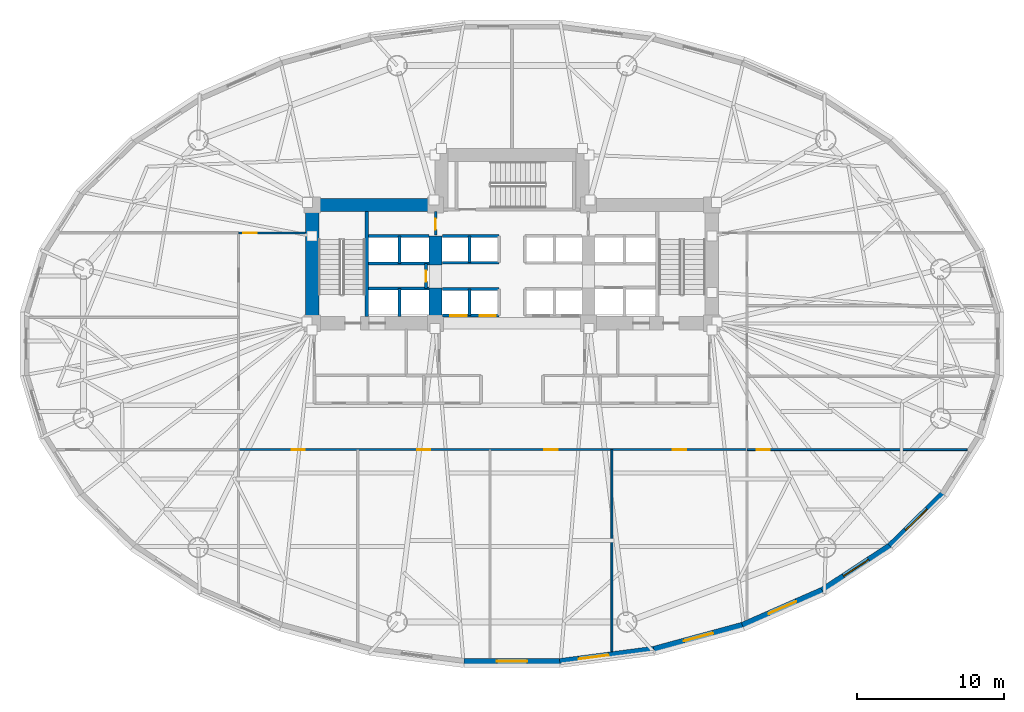
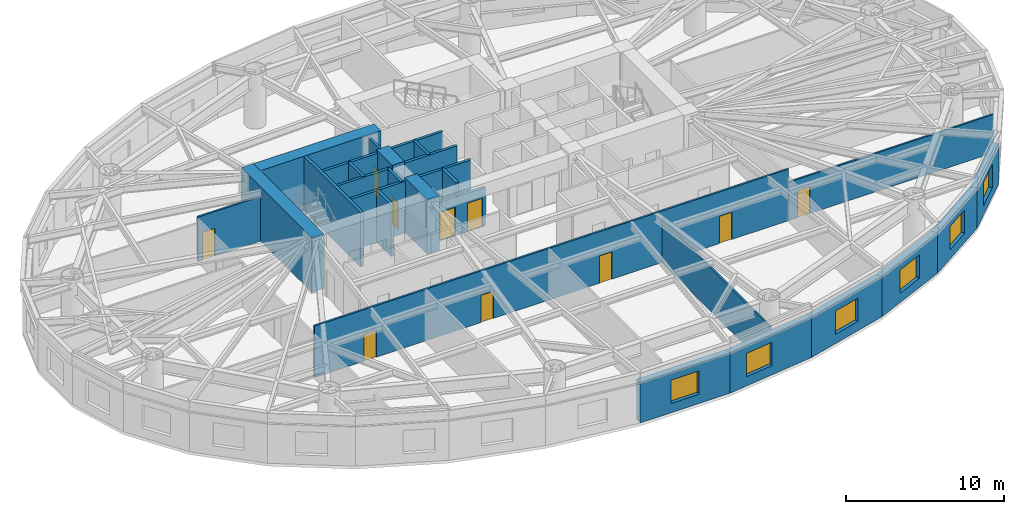
# One storey, part 6 of 14: 28 walls, 10 doors, 6 windows, 16 openings.
"""IFC4 building model written with IfcOpenShell, lengths in metres."""

import ifcopenshell
import ifcopenshell.guid

model = None  # the IFC model being written
_history = None  # IfcOwnerHistory: only IFC2X3 demands one
_inside = {}  # id of a spatial element -> (the spatial element, [elements in it])
_under = {}  # id of a project, library or spatial element -> (it, [spatial elements below it])
_declared = {}  # id of a project -> (the project, [libraries it declares])
_typed = {}  # id of a type object -> (the type object, [elements of that type])
_made_of = {}  # id of a material, layer set ... -> (it, [elements and type objects made of it])


def new_model(schema):
    """Start an empty IFC model of exactly this schema.

    Asked for "IFC4X3", IfcOpenShell would pick the latest addendum, in which some entities
    have other attributes; the version numbers below select the first issue.
    IFC2X3 requires an IfcOwnerHistory on every rooted entity: one is made here for all.
    """
    global model, _history
    if schema == "IFC4X3":
        model = ifcopenshell.file(schema_version=(4, 3, 0, 0))
    else:
        model = ifcopenshell.file(schema=schema)
    _inside.clear()
    _under.clear()
    _declared.clear()
    _typed.clear()
    _made_of.clear()
    _history = None
    if model.schema == "IFC2X3":
        org = make("IfcOrganization", Name="unknown")
        user = make(
            "IfcPersonAndOrganization",
            ThePerson=make("IfcPerson", FamilyName="unknown"),
            TheOrganization=org,
        )
        app = make(
            "IfcApplication",
            ApplicationDeveloper=org,
            Version="unknown",
            ApplicationFullName="unknown",
            ApplicationIdentifier="unknown",
        )
        _history = make(
            "IfcOwnerHistory",
            OwningUser=user,
            OwningApplication=app,
            ChangeAction="ADDED",
            CreationDate=0,
        )
    return model


def make(cls, **values):
    """One entity of the class cls with the attributes given. An attribute that is None is left unset."""
    return model.create_entity(
        cls, **{name: value for name, value in values.items() if value is not None}
    )


def rooted(cls, **values):
    """An entity with a GlobalId (a new one), such as an element, a storey or a relation."""
    return make(cls, GlobalId=ifcopenshell.guid.new(), OwnerHistory=_history, **values)


def si_unit(unit_type, name, prefix=None):
    """IfcSIUnit, for example si_unit("LENGTHUNIT", "METRE", prefix="MILLI")."""
    return make("IfcSIUnit", UnitType=unit_type, Prefix=prefix, Name=name)


def assignment(units):
    """IfcUnitAssignment: the units of a project."""
    return None if units is None else make("IfcUnitAssignment", Units=units)


def point(xyz):
    """IfcCartesianPoint."""
    return None if xyz is None else make("IfcCartesianPoint", Coordinates=xyz)


def direction(xyz):
    """IfcDirection."""
    return None if xyz is None else make("IfcDirection", DirectionRatios=xyz)


def frame(location, z_axis=None, x_axis=None):
    """IfcAxis2Placement3D, a coordinate frame: its origin and axes. An axis left out is left unset."""
    return make(
        "IfcAxis2Placement3D",
        Location=point(location),
        Axis=direction(z_axis),
        RefDirection=direction(x_axis),
    )


def frame_2d(location, x_axis=None):
    """IfcAxis2Placement2D, a coordinate frame in the plane: its origin and x axis."""
    return make(
        "IfcAxis2Placement2D", Location=point(location), RefDirection=direction(x_axis)
    )


def origin():
    """The frame at (0, 0, 0) with its axes left unset."""
    return frame((0.0, 0.0, 0.0))


def place(relative_to, where):
    """IfcLocalPlacement: puts the frame where relative to a parent placement (None: the world)."""
    return make(
        "IfcLocalPlacement", PlacementRelTo=relative_to, RelativePlacement=where
    )


def context(
    kind, dimensions, precision=None, world=None, true_north=None, identifier=None
):
    """IfcGeometricRepresentationContext, for example the 3D "Model" context."""
    return make(
        "IfcGeometricRepresentationContext",
        ContextIdentifier=identifier,
        ContextType=kind,
        CoordinateSpaceDimension=dimensions,
        Precision=precision,
        WorldCoordinateSystem=world,
        TrueNorth=true_north,
    )


def subcontext(parent, identifier, kind, view, scale=None):
    """IfcGeometricRepresentationSubContext, for example "Body" below "Model"."""
    return make(
        "IfcGeometricRepresentationSubContext",
        ContextIdentifier=identifier,
        ContextType=kind,
        ParentContext=parent,
        TargetScale=scale,
        TargetView=view,
    )


def project(units=None, contexts=None):
    """IfcProject with its units and contexts."""
    return rooted(
        "IfcProject",
        Name="project",
        RepresentationContexts=contexts,
        UnitsInContext=assignment(units),
    )


def spatial(cls, under=None, at=None, **own):
    """A site, building, storey or space (cls), placed at a placement, below another one or the project."""
    s = rooted(cls, ObjectPlacement=at, **own)
    if under is not None:
        _under.setdefault(under.id(), (under, []))[1].append(s)
    return s


def profile(cls, at=None, kind="AREA", **sizes):
    """A parametric profile (cls). Its sizes go by their IFC names, for example OverallWidth=200.0."""
    return make(cls, ProfileType=kind, Position=at, **sizes)


def rectangle(**sizes):
    """IfcRectangleProfileDef."""
    return profile("IfcRectangleProfileDef", **sizes)


def extrude(swept, where, along, depth):
    """IfcExtrudedAreaSolid: the profile swept, set in the frame where, extruded along a direction by depth."""
    return make(
        "IfcExtrudedAreaSolid",
        SweptArea=swept,
        Position=where,
        ExtrudedDirection=direction(along),
        Depth=depth,
    )


def shape(context_of_items, identifier, shape_type, items):
    """IfcShapeRepresentation: the items that make up one representation, for example the "Body"."""
    return make(
        "IfcShapeRepresentation",
        ContextOfItems=context_of_items,
        RepresentationIdentifier=identifier,
        RepresentationType=shape_type,
        Items=items,
    )


def material(Name=None, Category=None):
    """IfcMaterial."""
    return make("IfcMaterial", Name=Name, Category=Category)


def layer(
    of_material, thickness, ventilated=None, Name=None, Category=None, Priority=None
):
    """IfcMaterialLayer: one layer of a wall or slab, of a material (None: an air gap)."""
    return make(
        "IfcMaterialLayer",
        Material=of_material,
        LayerThickness=thickness,
        IsVentilated=ventilated,
        Name=Name,
        Category=Category,
        Priority=Priority,
    )


def layer_set(layers, Name=None):
    """IfcMaterialLayerSet."""
    return make("IfcMaterialLayerSet", MaterialLayers=layers, LayerSetName=Name)


def made_of(thing, what):
    """Note that an element or type object is made of a material, layer set ...; save() writes the relation."""
    if what is not None:
        _made_of.setdefault(what.id(), (what, []))[1].append(thing)
    return thing


def type_object(cls, material=None, **own):
    """A type object (cls), such as IfcWallType, which elements share."""
    return made_of(rooted(cls, **own), material)


def element(
    cls,
    number,
    at=None,
    inside=None,
    cuts=None,
    type_object=None,
    material=None,
    context=None,
    identifier="Body",
    shape_type=None,
    held_by="IfcProductDefinitionShape",
    body=None,
    shapes=None,
    **own,
):
    """One element of the class cls, such as IfcWall. Its Tag is "e" and its number.

    at: its placement. inside: the storey or other place that contains it. cuts: it is an
    opening in that element (IfcRelVoidsElement). A single representation is given by context,
    identifier, shape_type and body (its items); several are given by shapes. held_by: the class
    of the entity that holds the representations. save() writes the other relations.
    """
    e = rooted(cls, Tag="e%d" % number, ObjectPlacement=at, **own)
    if body is not None:
        shapes = [shape(context, identifier, shape_type, body)]
    if shapes is not None:
        e.Representation = make(held_by, Representations=shapes)
    if inside is not None:
        _inside.setdefault(inside.id(), (inside, []))[1].append(e)
    if cuts is not None:
        rooted(
            "IfcRelVoidsElement", RelatingBuildingElement=cuts, RelatedOpeningElement=e
        )
    if type_object is not None:
        _typed.setdefault(type_object.id(), (type_object, []))[1].append(e)
    return made_of(e, material)


def fill(opening, filler):
    """IfcRelFillsElement: the door or window that sits in an opening."""
    return rooted(
        "IfcRelFillsElement",
        RelatingOpeningElement=opening,
        RelatedBuildingElement=filler,
    )


def aggregate(whole, parts):
    """IfcRelAggregates: a whole, such as a stair, and the parts it consists of."""
    return rooted("IfcRelAggregates", RelatingObject=whole, RelatedObjects=parts)


def save(model, path):
    """Write the relations noted so far, then the file.

    IfcRelAggregates (storeys below a building ...), IfcRelContainedInSpatialStructure (elements
    in a storey), IfcRelDefinesByType, IfcRelAssociatesMaterial and IfcRelDeclares: one each for
    every whole, place, type object, material and project.
    """
    for whole, parts in _under.values():
        aggregate(whole, parts)
    for where, things in _inside.values():
        rooted(
            "IfcRelContainedInSpatialStructure",
            RelatedElements=things,
            RelatingStructure=where,
        )
    for kind, things in _typed.values():
        rooted("IfcRelDefinesByType", RelatedObjects=things, RelatingType=kind)
    for what, things in _made_of.values():
        rooted("IfcRelAssociatesMaterial", RelatedObjects=things, RelatingMaterial=what)
    for by, libraries in _declared.values():
        rooted("IfcRelDeclares", RelatingContext=by, RelatedDefinitions=libraries)
    model.write(path)


model = new_model("IFC4")

# Units and contexts
model_context = context("Model", 3, precision=1e-05, world=origin(), true_north=direction((0.0, 1.0)))
body_context = subcontext(model_context, "Body", "Model", "MODEL_VIEW")
ifc_project = project(units=[si_unit("LENGTHUNIT", "METRE"), si_unit("AREAUNIT", "SQUARE_METRE"), si_unit("VOLUMEUNIT", "CUBIC_METRE"), si_unit("PLANEANGLEUNIT", "RADIAN"), si_unit("MASSUNIT", "GRAM", prefix="KILO")], contexts=[model_context])

# Site, building, storey
site_placement = place(None, origin())
site = spatial("IfcSite", under=ifc_project, at=site_placement, CompositionType="ELEMENT")
building_placement = place(site_placement, origin())
building = spatial("IfcBuilding", under=site, at=building_placement, Name="Keldmark Tower", CompositionType="ELEMENT")
storey_placement = place(building_placement, frame((0.0, 0.0, 18.60009765625)))
storey = spatial("IfcBuildingStorey", under=building, at=storey_placement, Name="L04", CompositionType="ELEMENT", Elevation=18.60009765625)

# Wall, openings, doors
ifc_material_1 = material(Name="Acoustic Double-Layer Gypsum Corridor Partition", Category="gypsum")
ifc_layer_1 = layer(ifc_material_1, 0.139892578125)
ifc_layer_set_1 = layer_set([ifc_layer_1], Name="Acoustic Double-Layer Gypsum Corridor Partition")
wall_type_1 = type_object("IfcWallType", Name="Acoustic Corridor Partition 140 mm", PredefinedType="PARTITIONING", material=ifc_layer_set_1)
wall_1_placement = place(storey_placement, frame((-18.60009765625, -7.199951171875, 0.0), z_axis=(0.0, 0.0, 1.0), x_axis=(1.0, 0.0, 0.0)))
wall_1 = element("IfcWall", 1, at=wall_1_placement, inside=storey, type_object=wall_type_1, Name="L04 Acoustic Corridor Partition 140 mm COR-S", PredefinedType="PARTITIONING", context=body_context, shape_type="SweptSolid", body=[
    extrude(rectangle(XDim=34.60009765625, YDim=0.139892578125, at=frame_2d((17.300048828125, 0.0))), origin(), (0.0, 0.0, 1.0), 3.97998046875),
])
opening_1_placement = place(wall_1_placement, frame((3.60009765625, 0.0, 0.0)))
opening_1 = element("IfcOpeningElement", 2, at=opening_1_placement, cuts=wall_1, Name="Opening D-IN090", PredefinedType="OPENING", context=body_context, shape_type="SweptSolid", body=[
    extrude(rectangle(XDim=0.89990234375, YDim=2.10009765625, at=frame_2d((0.449951171875, 1.050048828125))), frame((0.0, 0.079833984375, 0.0), z_axis=(0.0, -1.0, 0.0), x_axis=(1.0, 0.0, 0.0)), (0.0, 0.0, 1.0), 0.159912109375),
])
opening_2_placement = place(wall_1_placement, frame((12.14990234375, 0.0, 0.0)))
opening_2 = element("IfcOpeningElement", 3, at=opening_2_placement, cuts=wall_1, Name="Opening D-IN090", PredefinedType="OPENING", context=body_context, shape_type="SweptSolid", body=[
    extrude(rectangle(XDim=0.89990234375, YDim=2.10009765625, at=frame_2d((0.449951171875, 1.050048828125))), frame((0.0, 0.079833984375, 0.0), z_axis=(0.0, -1.0, 0.0), x_axis=(1.0, 0.0, 0.0)), (0.0, 0.0, 1.0), 0.159912109375),
])
opening_3_placement = place(wall_1_placement, frame((20.800048828125, 0.0, 0.0)))
opening_3 = element("IfcOpeningElement", 4, at=opening_3_placement, cuts=wall_1, Name="Opening D-IN090", PredefinedType="OPENING", context=body_context, shape_type="SweptSolid", body=[
    extrude(rectangle(XDim=0.89990234375, YDim=2.10009765625, at=frame_2d((0.449951171875, 1.050048828125))), frame((0.0, 0.079833984375, 0.0), z_axis=(0.0, -1.0, 0.0), x_axis=(1.0, 0.0, 0.0)), (0.0, 0.0, 1.0), 0.159912109375),
])
opening_4_placement = place(wall_1_placement, frame((29.550048828125, 0.0, 0.0)))
opening_4 = element("IfcOpeningElement", 5, at=opening_4_placement, cuts=wall_1, Name="Opening D-IN090", PredefinedType="OPENING", context=body_context, shape_type="SweptSolid", body=[
    extrude(rectangle(XDim=0.89990234375, YDim=2.10009765625, at=frame_2d((0.449951171875, 1.050048828125))), frame((0.0, 0.079833984375, 0.0), z_axis=(0.0, -1.0, 0.0), x_axis=(1.0, 0.0, 0.0)), (0.0, 0.0, 1.0), 0.159912109375),
])
ifc_material_2 = material(Name="Stained American White Oak Veneer", Category="wood")
door_type_1 = type_object("IfcDoorType", Name="Interior Door 900x2100", OperationType="NOTDEFINED", PredefinedType="DOOR", material=ifc_material_2)
door_1_placement = place(opening_1_placement, origin())
door_1 = element("IfcDoor", 6, at=door_1_placement, inside=storey, type_object=door_type_1, Name="L04 Interior Door 900x2100 D-SR-1-L04", OperationType="SINGLE_SWING_LEFT", OverallHeight=2.10009765625, OverallWidth=0.89990234375, PredefinedType="DOOR", context=body_context, shape_type="SweptSolid", body=[
    extrude(rectangle(XDim=0.89990234375, YDim=2.10009765625, at=frame_2d((0.449951171875, 1.050048828125))), frame((0.0, 0.02490234375, 0.0), z_axis=(0.0, -1.0, 0.0), x_axis=(1.0, 0.0, 0.0)), (0.0, 0.0, 1.0), 0.050048828125),
])
fill(opening_1, door_1)
door_2_placement = place(opening_2_placement, origin())
door_2 = element("IfcDoor", 7, at=door_2_placement, inside=storey, type_object=door_type_1, Name="L04 Interior Door 900x2100 D-SR-2-L04", OperationType="SINGLE_SWING_RIGHT", OverallHeight=2.10009765625, OverallWidth=0.89990234375, PredefinedType="DOOR", context=body_context, shape_type="SweptSolid", body=[
    extrude(rectangle(XDim=0.89990234375, YDim=2.10009765625, at=frame_2d((0.449951171875, 1.050048828125))), frame((0.0, 0.02490234375, 0.0), z_axis=(0.0, -1.0, 0.0), x_axis=(1.0, 0.0, 0.0)), (0.0, 0.0, 1.0), 0.050048828125),
])
fill(opening_2, door_2)
door_3_placement = place(opening_3_placement, origin())
door_3 = element("IfcDoor", 8, at=door_3_placement, inside=storey, type_object=door_type_1, Name="L04 Interior Door 900x2100 D-SR-3-L04", OperationType="SINGLE_SWING_LEFT", OverallHeight=2.10009765625, OverallWidth=0.89990234375, PredefinedType="DOOR", context=body_context, shape_type="SweptSolid", body=[
    extrude(rectangle(XDim=0.89990234375, YDim=2.10009765625, at=frame_2d((0.449951171875, 1.050048828125))), frame((0.0, 0.02490234375, 0.0), z_axis=(0.0, -1.0, 0.0), x_axis=(1.0, 0.0, 0.0)), (0.0, 0.0, 1.0), 0.050048828125),
])
fill(opening_3, door_3)
door_4_placement = place(opening_4_placement, origin())
door_4 = element("IfcDoor", 9, at=door_4_placement, inside=storey, type_object=door_type_1, Name="L04 Interior Door 900x2100 D-SR-4-L04", OperationType="SINGLE_SWING_RIGHT", OverallHeight=2.10009765625, OverallWidth=0.89990234375, PredefinedType="DOOR", context=body_context, shape_type="SweptSolid", body=[
    extrude(rectangle(XDim=0.89990234375, YDim=2.10009765625, at=frame_2d((0.449951171875, 1.050048828125))), frame((0.0, 0.02490234375, 0.0), z_axis=(0.0, -1.0, 0.0), x_axis=(1.0, 0.0, 0.0)), (0.0, 0.0, 1.0), 0.050048828125),
])
fill(opening_4, door_4)

# Wall, opening, door
wall_2_placement = place(storey_placement, frame((-18.60009765625, 7.550048828125, 0.0), z_axis=(0.0, 0.0, 1.0), x_axis=(1.0, 0.0, 0.0)))
wall_2 = element("IfcWall", 10, at=wall_2_placement, inside=storey, type_object=wall_type_1, Name="L04 Acoustic Corridor Partition 140 mm COR-WN-CAP", PredefinedType="PARTITIONING", context=body_context, shape_type="SweptSolid", body=[
    extrude(rectangle(XDim=4.550048828125, YDim=0.139892578125, at=frame_2d((2.27490234375, 0.0))), origin(), (0.0, 0.0, 1.0), 3.432861328125),
])
opening_5_placement = place(wall_2_placement, frame((0.320068359375, 0.0, 0.0)))
opening_5 = element("IfcOpeningElement", 11, at=opening_5_placement, cuts=wall_2, Name="Opening D-EX092", PredefinedType="OPENING", context=body_context, shape_type="SweptSolid", body=[
    extrude(rectangle(XDim=0.919921875, YDim=2.14990234375, at=frame_2d((0.4599609375, 1.074951171875))), frame((0.0, 0.079833984375, 0.0), z_axis=(0.0, -1.0, 0.0), x_axis=(1.0, 0.0, 0.0)), (0.0, 0.0, 1.0), 0.159912109375),
])
ifc_material_3 = material(Name="Flush American Ash Executive Office Door", Category="wood")
door_type_2 = type_object("IfcDoorType", Name="Executive Office Door 920x2150", OperationType="NOTDEFINED", PredefinedType="DOOR", material=ifc_material_3)
door_5_placement = place(opening_5_placement, origin())
door_5 = element("IfcDoor", 12, at=door_5_placement, inside=storey, type_object=door_type_2, Name="L04 Executive Office Door 920x2150 D-NRNW-L04", OperationType="SINGLE_SWING_LEFT", OverallHeight=2.14990234375, OverallWidth=0.919921875, PredefinedType="DOOR", context=body_context, shape_type="SweptSolid", body=[
    extrude(rectangle(XDim=0.919921875, YDim=2.14990234375, at=frame_2d((0.4599609375, 1.074951171875))), frame((0.0, 0.02490234375, 0.0), z_axis=(0.0, -1.0, 0.0), x_axis=(1.0, 0.0, 0.0)), (0.0, 0.0, 1.0), 0.050048828125),
])
fill(opening_5, door_5)

# Wall
ifc_material_4 = material(Name="Acoustic Gypsum Board Interior Partition", Category="gypsum")
ifc_layer_2 = layer(ifc_material_4, 0.1298828125)
ifc_layer_set_2 = layer_set([ifc_layer_2], Name="Acoustic Gypsum Board Interior Partition")
wall_type_2 = type_object("IfcWallType", Name="Interior Partition 130 mm", PredefinedType="PARTITIONING", material=ifc_layer_set_2)
wall_3_placement = place(storey_placement, frame((6.800048828125, -20.942626953125, 0.0), z_axis=(0.0, 0.0, 1.0), x_axis=(0.0, 1.0, 0.0)))
element("IfcWall", 13, at=wall_3_placement, inside=storey, type_object=wall_type_2, Name="L04 Interior Partition 130 mm S-DIV-3", PredefinedType="PARTITIONING", context=body_context, shape_type="SweptSolid", body=[
    extrude(rectangle(XDim=13.74267578125, YDim=0.1298828125, at=frame_2d((6.871337890625, 0.0))), origin(), (0.0, 0.0, 1.0), 3.347900390625),
])

# Wall, opening, door
wall_4_placement = place(storey_placement, frame((16.0, -7.199951171875, 0.0), z_axis=(0.0, 0.0, 1.0), x_axis=(1.0, 0.0, 0.0)))
wall_4 = element("IfcWall", 14, at=wall_4_placement, inside=storey, type_object=wall_type_2, Name="L04 Interior Partition 130 mm E-CAP-S", PredefinedType="PARTITIONING", context=body_context, shape_type="SweptSolid", body=[
    extrude(rectangle(XDim=14.96728515625, YDim=0.1298828125, at=frame_2d((7.483642578125, 0.0))), origin(), (0.0, 0.0, 1.0), 2.9580078125),
])
opening_6_placement = place(wall_4_placement, frame((0.64990234375, 0.0, 0.0)))
opening_6 = element("IfcOpeningElement", 15, at=opening_6_placement, cuts=wall_4, Name="Opening D-IN090", PredefinedType="OPENING", context=body_context, shape_type="SweptSolid", body=[
    extrude(rectangle(XDim=0.89990234375, YDim=2.10009765625, at=frame_2d((0.449951171875, 1.050048828125))), frame((0.0, 0.074951171875, 0.0), z_axis=(0.0, -1.0, 0.0), x_axis=(1.0, 0.0, 0.0)), (0.0, 0.0, 1.0), 0.14990234375),
])
door_6_placement = place(opening_6_placement, origin())
door_6 = element("IfcDoor", 16, at=door_6_placement, inside=storey, type_object=door_type_1, Name="L04 Interior Door 900x2100 D-ERSE-L04", OperationType="SINGLE_SWING_RIGHT", OverallHeight=2.10009765625, OverallWidth=0.89990234375, PredefinedType="DOOR", context=body_context, shape_type="SweptSolid", body=[
    extrude(rectangle(XDim=0.89990234375, YDim=2.10009765625, at=frame_2d((0.449951171875, 1.050048828125))), frame((0.0, 0.02490234375, 0.0), z_axis=(0.0, -1.0, 0.0), x_axis=(1.0, 0.0, 0.0)), (0.0, 0.0, 1.0), 0.050048828125),
])
fill(opening_6, door_6)

# Walls
ifc_material_5 = material(Name="Concrete C70/85", Category="concrete")
ifc_layer_3 = layer(ifc_material_5, 0.89990234375)
ifc_layer_set_3 = layer_set([ifc_layer_3], Name="Concrete C70/85")
wall_type_3 = type_object("IfcWallType", Name="Lower Core Shear Wall 900 mm", PredefinedType="SHEAR", material=ifc_layer_set_3)
wall_5_placement = place(storey_placement, frame((-13.60009765625, 0.949951171875, 0.0), z_axis=(0.0, 0.0, 1.0), x_axis=(0.0, 1.0, 0.0)))
element("IfcWall", 17, at=wall_5_placement, inside=storey, type_object=wall_type_3, Name="L04 West Core Outer Shear Wall", PredefinedType="SHEAR", context=body_context, shape_type="SweptSolid", body=[
    extrude(rectangle(XDim=8.949951171875, YDim=0.89990234375, at=frame_2d((4.47509765625, 0.0))), origin(), (0.0, 0.0, 1.0), 4.199951171875),
])
wall_6_placement = place(storey_placement, frame((-14.050048828125, 9.449951171875, 0.0), z_axis=(0.0, 0.0, 1.0), x_axis=(1.0, 0.0, 0.0)))
element("IfcWall", 18, at=wall_6_placement, inside=storey, type_object=wall_type_3, Name="L04 West Core North Shear Wall", PredefinedType="SHEAR", context=body_context, shape_type="SweptSolid", body=[
    extrude(rectangle(XDim=9.699951171875, YDim=0.89990234375, at=frame_2d((4.85009765625, 0.0))), origin(), (0.0, 0.0, 1.0), 4.199951171875),
])
wall_7_placement = place(storey_placement, frame((-5.199951171875, 0.949951171875, 0.0), z_axis=(0.0, 0.0, 1.0), x_axis=(0.0, 1.0, 0.0)))
element("IfcWall", 19, at=wall_7_placement, inside=storey, type_object=wall_type_3, Name="L04 West Core Inner Shear Pier South", PredefinedType="SHEAR", context=body_context, shape_type="SweptSolid", body=[
    extrude(rectangle(XDim=2.85009765625, YDim=0.89990234375, at=frame_2d((1.425048828125, 0.0))), origin(), (0.0, 0.0, 1.0), 4.199951171875),
])
wall_8_placement = place(storey_placement, frame((-5.199951171875, 5.35009765625, 0.0), z_axis=(0.0, 0.0, 1.0), x_axis=(0.0, 1.0, 0.0)))
element("IfcWall", 20, at=wall_8_placement, inside=storey, type_object=wall_type_3, Name="L04 West Core Inner Shear Pier North", PredefinedType="SHEAR", context=body_context, shape_type="SweptSolid", body=[
    extrude(rectangle(XDim=2.0, YDim=0.89990234375, at=frame_2d((1.0, 0.0))), origin(), (0.0, 0.0, 1.0), 4.199951171875),
])

# Wall, opening, window
ifc_material_6 = material(Name="Ironspot Manganese Brick and Kasota Buff Limestone Cavity Assembly", Category="masonry")
ifc_layer_4 = layer(ifc_material_6, 0.47998046875)
ifc_layer_set_4 = layer_set([ifc_layer_4], Name="Ironspot Manganese Brick and Kasota Buff Limestone Cavity Assembly")
wall_type_4 = type_object("IfcWallType", Name="Podium Brick and Limestone Cavity Wall 480 mm", PredefinedType="STANDARD", material=ifc_layer_set_4)
wall_9_placement = place(storey_placement, frame((3.28369140625, -21.654052734375, 0.0), z_axis=(0.0, 0.0, 1.0), x_axis=(-1.0, 0.0, 0.0)))
wall_9 = element("IfcWall", 21, at=wall_9_placement, inside=storey, type_object=wall_type_4, Name="L04 Exterior Brick and Spandrel Wall 24", PredefinedType="STANDARD", context=body_context, shape_type="SweptSolid", body=[
    extrude(rectangle(XDim=6.5673828125, YDim=0.47998046875, at=frame_2d((3.28369140625, 0.0))), origin(), (0.0, 0.0, 1.0), 3.10888671875),
])
opening_7_placement = place(wall_9_placement, frame((2.258544921875, 0.0, 0.719970703125)))
opening_7 = element("IfcOpeningElement", 22, at=opening_7_placement, cuts=wall_9, Name="Opening W-07", PredefinedType="OPENING", context=body_context, shape_type="SweptSolid", body=[
    extrude(rectangle(XDim=2.050048828125, YDim=1.800048828125, at=frame_2d((1.02490234375, 0.89990234375))), frame((0.0, 0.25, 0.0), z_axis=(0.0, -1.0, 0.0), x_axis=(1.0, 0.0, 0.0)), (0.0, 0.0, 1.0), 0.5),
])
ifc_material_7 = material(Name="Thermally Broken Anodized Aluminum and Triple Low-E Argon Glazing", Category="aluminium")
window_type = type_object("IfcWindowType", Name="Podium Mezzanine Punched Window 2050x1800", PartitioningType="DOUBLE_PANEL_VERTICAL", PredefinedType="WINDOW", material=ifc_material_7)
window_1_placement = place(opening_7_placement, origin())
window_1 = element("IfcWindow", 23, at=window_1_placement, inside=storey, type_object=window_type, Name="L04 Deep-Set Window 24", OverallHeight=1.800048828125, OverallWidth=2.050048828125, PartitioningType="SINGLE_PANEL", PredefinedType="WINDOW", context=body_context, shape_type="SweptSolid", body=[
    extrude(rectangle(XDim=2.050048828125, YDim=1.800048828125, at=frame_2d((1.02490234375, 0.89990234375))), frame((0.0, -0.010009765625, 0.0), z_axis=(0.0, -1.0, 0.0), x_axis=(1.0, 0.0, 0.0)), (0.0, 0.0, 1.0), 0.06005859375),
])
fill(opening_7, window_1)

wall_10_placement = place(storey_placement, frame((9.693359375, -20.814697265625, 0.0), z_axis=(0.0, 0.0, 1.0), x_axis=(-0.991576921472, -0.129519144545, 0.0)))
wall_10 = element("IfcWall", 24, at=wall_10_placement, inside=storey, type_object=wall_type_4, Name="L04 Exterior Brick and Spandrel Wall 25", PredefinedType="STANDARD", context=body_context, shape_type="SweptSolid", body=[
    extrude(rectangle(XDim=6.49560546875, YDim=0.47998046875, at=frame_2d((3.247802734375, 0.0))), origin(), (0.0, 0.0, 1.0), 3.10888671875),
])
opening_8_placement = place(wall_10_placement, frame((3.146728515625, 0.0, 0.719970703125)))
opening_8 = element("IfcOpeningElement", 25, at=opening_8_placement, cuts=wall_10, Name="Opening W-07", PredefinedType="OPENING", context=body_context, shape_type="SweptSolid", body=[
    extrude(rectangle(XDim=2.050048828125, YDim=1.800048828125, at=frame_2d((1.02490234375, 0.89990234375))), frame((0.0, 0.25, 0.0), z_axis=(0.0, -1.0, 0.0), x_axis=(1.0, 0.0, 0.0)), (0.0, 0.0, 1.0), 0.5),
])
window_2_placement = place(opening_8_placement, origin())
window_2 = element("IfcWindow", 26, at=window_2_placement, inside=storey, type_object=window_type, Name="L04 Deep-Set Window 25", OverallHeight=1.800048828125, OverallWidth=2.050048828125, PartitioningType="SINGLE_PANEL", PredefinedType="WINDOW", context=body_context, shape_type="SweptSolid", body=[
    extrude(rectangle(XDim=2.050048828125, YDim=1.800048828125, at=frame_2d((1.02490234375, 0.89990234375))), frame((0.0, -0.010009765625, 0.0), z_axis=(0.0, -1.0, 0.0), x_axis=(1.0, 0.0, 0.0)), (0.0, 0.0, 1.0), 0.06005859375),
])
fill(opening_8, window_2)

wall_11_placement = place(storey_placement, frame((15.728759765625, -19.170654296875, 0.0), z_axis=(0.0, 0.0, 1.0), x_axis=(-0.964936550718, -0.262483243445, 0.0)))
wall_11 = element("IfcWall", 27, at=wall_11_placement, inside=storey, type_object=wall_type_4, Name="L04 Exterior Brick and Spandrel Wall 26", PredefinedType="STANDARD", context=body_context, shape_type="SweptSolid", body=[
    extrude(rectangle(XDim=6.28759765625, YDim=0.47998046875, at=frame_2d((3.143798828125, 0.0))), origin(), (0.0, 0.0, 1.0), 3.10888671875),
])
opening_9_placement = place(wall_11_placement, frame((2.118896484375, 0.0, 0.719970703125)))
opening_9 = element("IfcOpeningElement", 28, at=opening_9_placement, cuts=wall_11, Name="Opening W-07", PredefinedType="OPENING", context=body_context, shape_type="SweptSolid", body=[
    extrude(rectangle(XDim=2.050048828125, YDim=1.800048828125, at=frame_2d((1.02490234375, 0.89990234375))), frame((0.0, 0.25, 0.0), z_axis=(0.0, -1.0, 0.0), x_axis=(1.0, 0.0, 0.0)), (0.0, 0.0, 1.0), 0.5),
])
window_3_placement = place(opening_9_placement, origin())
window_3 = element("IfcWindow", 29, at=window_3_placement, inside=storey, type_object=window_type, Name="L04 Deep-Set Window 26", OverallHeight=1.800048828125, OverallWidth=2.050048828125, PartitioningType="SINGLE_PANEL", PredefinedType="WINDOW", context=body_context, shape_type="SweptSolid", body=[
    extrude(rectangle(XDim=2.050048828125, YDim=1.800048828125, at=frame_2d((1.02490234375, 0.89990234375))), frame((0.0, -0.010009765625, 0.0), z_axis=(0.0, -1.0, 0.0), x_axis=(1.0, 0.0, 0.0)), (0.0, 0.0, 1.0), 0.06005859375),
])
fill(opening_9, window_3)

wall_12_placement = place(storey_placement, frame((21.15576171875, -16.786376953125, 0.0), z_axis=(0.0, 0.0, 1.0), x_axis=(-0.91570760638, -0.401845218484, 0.0)))
wall_12 = element("IfcWall", 30, at=wall_12_placement, inside=storey, type_object=wall_type_4, Name="L04 Exterior Brick and Spandrel Wall 27", PredefinedType="STANDARD", context=body_context, shape_type="SweptSolid", body=[
    extrude(rectangle(XDim=5.963134765625, YDim=0.47998046875, at=frame_2d((2.9814453125, 0.0))), origin(), (0.0, 0.0, 1.0), 3.10888671875),
])
opening_10_placement = place(wall_12_placement, frame((1.95654296875, 0.0, 0.719970703125)))
opening_10 = element("IfcOpeningElement", 31, at=opening_10_placement, cuts=wall_12, Name="Opening W-07", PredefinedType="OPENING", context=body_context, shape_type="SweptSolid", body=[
    extrude(rectangle(XDim=2.050048828125, YDim=1.800048828125, at=frame_2d((1.02490234375, 0.89990234375))), frame((0.0, 0.25, 0.0), z_axis=(0.0, -1.0, 0.0), x_axis=(1.0, 0.0, 0.0)), (0.0, 0.0, 1.0), 0.5),
])
window_4_placement = place(opening_10_placement, origin())
window_4 = element("IfcWindow", 32, at=window_4_placement, inside=storey, type_object=window_type, Name="L04 Deep-Set Window 27", OverallHeight=1.800048828125, OverallWidth=2.050048828125, PartitioningType="SINGLE_PANEL", PredefinedType="WINDOW", context=body_context, shape_type="SweptSolid", body=[
    extrude(rectangle(XDim=2.050048828125, YDim=1.800048828125, at=frame_2d((1.02490234375, 0.89990234375))), frame((0.0, -0.010009765625, 0.0), z_axis=(0.0, -1.0, 0.0), x_axis=(1.0, 0.0, 0.0)), (0.0, 0.0, 1.0), 0.06005859375),
])
fill(opening_10, window_4)

wall_13_placement = place(storey_placement, frame((25.76416015625, -13.756103515625, 0.0), z_axis=(0.0, 0.0, 1.0), x_axis=(-0.835863918172, -0.548936708827, 0.0)))
wall_13 = element("IfcWall", 33, at=wall_13_placement, inside=storey, type_object=wall_type_4, Name="L04 Exterior Brick and Spandrel Wall 28", PredefinedType="STANDARD", context=body_context, shape_type="SweptSolid", body=[
    extrude(rectangle(XDim=5.555419921875, YDim=0.47998046875, at=frame_2d((2.77783203125, 0.0))), origin(), (0.0, 0.0, 1.0), 3.10888671875),
])
opening_11_placement = place(wall_13_placement, frame((1.752685546875, 0.0, 0.719970703125)))
opening_11 = element("IfcOpeningElement", 34, at=opening_11_placement, cuts=wall_13, Name="Opening W-07", PredefinedType="OPENING", context=body_context, shape_type="SweptSolid", body=[
    extrude(rectangle(XDim=2.050048828125, YDim=1.800048828125, at=frame_2d((1.02490234375, 0.89990234375))), frame((0.0, 0.25, 0.0), z_axis=(0.0, -1.0, 0.0), x_axis=(1.0, 0.0, 0.0)), (0.0, 0.0, 1.0), 0.5),
])
window_5_placement = place(opening_11_placement, origin())
window_5 = element("IfcWindow", 35, at=window_5_placement, inside=storey, type_object=window_type, Name="L04 Deep-Set Window 28", OverallHeight=1.800048828125, OverallWidth=2.050048828125, PartitioningType="SINGLE_PANEL", PredefinedType="WINDOW", context=body_context, shape_type="SweptSolid", body=[
    extrude(rectangle(XDim=2.050048828125, YDim=1.800048828125, at=frame_2d((1.02490234375, 0.89990234375))), frame((0.0, -0.010009765625, 0.0), z_axis=(0.0, -1.0, 0.0), x_axis=(1.0, 0.0, 0.0)), (0.0, 0.0, 1.0), 0.06005859375),
])
fill(opening_11, window_5)

wall_14_placement = place(storey_placement, frame((29.376220703125, -10.199462890625, 0.0), z_axis=(0.0, 0.0, 1.0), x_axis=(-0.713189080178, -0.700971708355, 0.0)))
wall_14 = element("IfcWall", 36, at=wall_14_placement, inside=storey, type_object=wall_type_4, Name="L04 Exterior Brick and Spandrel Wall 29", PredefinedType="STANDARD", context=body_context, shape_type="SweptSolid", body=[
    extrude(rectangle(XDim=5.11572265625, YDim=0.47998046875, at=frame_2d((2.557861328125, 0.0))), origin(), (0.0, 0.0, 1.0), 3.10888671875),
])
opening_12_placement = place(wall_14_placement, frame((1.532958984375, 0.0, 0.719970703125)))
opening_12 = element("IfcOpeningElement", 37, at=opening_12_placement, cuts=wall_14, Name="Opening W-07", PredefinedType="OPENING", context=body_context, shape_type="SweptSolid", body=[
    extrude(rectangle(XDim=2.050048828125, YDim=1.800048828125, at=frame_2d((1.02490234375, 0.89990234375))), frame((0.0, 0.25, 0.0), z_axis=(0.0, -1.0, 0.0), x_axis=(1.0, 0.0, 0.0)), (0.0, 0.0, 1.0), 0.5),
])
window_6_placement = place(opening_12_placement, origin())
window_6 = element("IfcWindow", 38, at=window_6_placement, inside=storey, type_object=window_type, Name="L04 Deep-Set Window 29", OverallHeight=1.800048828125, OverallWidth=2.050048828125, PartitioningType="SINGLE_PANEL", PredefinedType="WINDOW", context=body_context, shape_type="SweptSolid", body=[
    extrude(rectangle(XDim=2.050048828125, YDim=1.800048828125, at=frame_2d((1.02490234375, 0.89990234375))), frame((0.0, -0.010009765625, 0.0), z_axis=(0.0, -1.0, 0.0), x_axis=(1.0, 0.0, 0.0)), (0.0, 0.0, 1.0), 0.06005859375),
])
fill(opening_12, window_6)

# Wall, opening, door
ifc_material_8 = material(Name="Type X Fire-Rated Gypsum Partition Assembly", Category="gypsum")
ifc_layer_5 = layer(ifc_material_8, 0.1650390625)
ifc_layer_set_5 = layer_set([ifc_layer_5], Name="Type X Fire-Rated Gypsum Partition Assembly")
wall_type_5 = type_object("IfcWallType", Name="Rated Partition 165 mm", PredefinedType="PARTITIONING", material=ifc_layer_set_5)
wall_15_placement = place(storey_placement, frame((-5.199951171875, 7.419921875, 0.0), z_axis=(0.0, 0.0, 1.0), x_axis=(0.0, 1.0, 0.0)))
wall_15 = element("IfcWall", 39, at=wall_15_placement, inside=storey, type_object=wall_type_5, Name="L04 Rated Partition 165 mm CS-NW-E", PredefinedType="PARTITIONING", context=body_context, shape_type="SweptSolid", body=[
    extrude(rectangle(XDim=1.580078125, YDim=0.1650390625, at=frame_2d((0.7900390625, 0.0))), origin(), (0.0, 0.0, 1.0), 3.97998046875),
])
opening_13_placement = place(wall_15_placement, frame((0.35009765625, 0.0, 0.0)))
opening_13 = element("IfcOpeningElement", 40, at=opening_13_placement, cuts=wall_15, Name="Opening D-RS075", PredefinedType="OPENING", context=body_context, shape_type="SweptSolid", body=[
    extrude(rectangle(XDim=0.75, YDim=2.10009765625, at=frame_2d((0.375, 1.050048828125))), frame((0.0, 0.092529296875, 0.0), z_axis=(0.0, -1.0, 0.0), x_axis=(1.0, 0.0, 0.0)), (0.0, 0.0, 1.0), 0.18505859375),
])
ifc_material_9 = material(Name="Galvanized Fire-Rated Access Leaf", Category="metal")
door_type_3 = type_object("IfcDoorType", Name="Riser Access Door 750x2100", OperationType="NOTDEFINED", PredefinedType="DOOR", material=ifc_material_9)
door_7_placement = place(opening_13_placement, origin())
door_7 = element("IfcDoor", 41, at=door_7_placement, inside=storey, type_object=door_type_3, Name="L04 Riser Access Door 750x2100 D-CSNW1-L04", OperationType="SINGLE_SWING_LEFT", OverallHeight=2.10009765625, OverallWidth=0.75, PredefinedType="DOOR", context=body_context, shape_type="SweptSolid", body=[
    extrude(rectangle(XDim=0.75, YDim=2.10009765625, at=frame_2d((0.375, 1.050048828125))), frame((0.0, 0.02490234375, 0.0), z_axis=(0.0, -1.0, 0.0), x_axis=(1.0, 0.0, 0.0)), (0.0, 0.0, 1.0), 0.050048828125),
])
fill(opening_13, door_7)

# Walls
ifc_material_10 = material(Name="Fire-Resistant Type X Gypsum Shaftliner Coreboard", Category="gypsum")
ifc_layer_6 = layer(ifc_material_10, 0.199951171875)
ifc_layer_set_6 = layer_set([ifc_layer_6], Name="Fire-Resistant Type X Gypsum Shaftliner Coreboard")
wall_type_6 = type_object("IfcWallType", Name="Shaft Wall 200 mm", PredefinedType="SOLIDWALL", material=ifc_layer_set_6)
wall_16_placement = place(storey_placement, frame((-9.780029296875, 3.780029296875, 0.0), z_axis=(0.0, 0.0, 1.0), x_axis=(1.0, 0.0, 0.0)))
element("IfcWall", 42, at=wall_16_placement, inside=storey, type_object=wall_type_6, Name="L04 Shaft Wall 200 mm HW-W-S", PredefinedType="SOLIDWALL", context=body_context, shape_type="SweptSolid", body=[
    extrude(rectangle(XDim=4.130126953125, YDim=0.199951171875, at=frame_2d((2.06494140625, 0.0))), origin(), (0.0, 0.0, 1.0), 3.97998046875),
])
wall_17_placement = place(storey_placement, frame((-7.64990234375, 1.85009765625, 0.0), z_axis=(0.0, 0.0, 1.0), x_axis=(0.0, 1.0, 0.0)))
element("IfcWall", 43, at=wall_17_placement, inside=storey, type_object=wall_type_6, Name="L04 Shaft Wall 200 mm HW-W-M", PredefinedType="SOLIDWALL", context=body_context, shape_type="SweptSolid", body=[
    extrude(rectangle(XDim=1.929931640625, YDim=0.199951171875, at=frame_2d((0.96484375, 0.0))), origin(), (0.0, 0.0, 1.0), 3.97998046875),
])
for number, where, z_axis, x_axis, name in (
    (44, (-9.780029296875, 5.469970703125, 0.0), (0.0, 0.0, 1.0), (1.0, 0.0, 0.0), "L04 Shaft Wall 200 mm HW-W-N"),
    (45, (-9.780029296875, 7.330078125, 0.0), (0.0, 0.0, 1.0), (1.0, 0.0, 0.0), "L04 Shaft Wall 200 mm HW-W-TOP"),
):
    element("IfcWall", number, at=place(storey_placement, frame(where, z_axis=z_axis, x_axis=x_axis)), inside=storey, type_object=wall_type_6, Name=name, PredefinedType="SOLIDWALL", context=body_context, shape_type="SweptSolid", body=[
        extrude(rectangle(XDim=4.130126953125, YDim=0.199951171875, at=frame_2d((2.06494140625, 0.0))), origin(), (0.0, 0.0, 1.0), 3.97998046875),
    ])
wall_18_placement = place(storey_placement, frame((-7.64990234375, 5.469970703125, 0.0), z_axis=(0.0, 0.0, 1.0), x_axis=(0.0, 1.0, 0.0)))
element("IfcWall", 46, at=wall_18_placement, inside=storey, type_object=wall_type_6, Name="L04 Shaft Wall 200 mm HW-W-NM", PredefinedType="SOLIDWALL", context=body_context, shape_type="SweptSolid", body=[
    extrude(rectangle(XDim=1.860107421875, YDim=0.199951171875, at=frame_2d((0.93017578125, 0.0))), origin(), (0.0, 0.0, 1.0), 3.97998046875),
])

# Wall, opening, door
wall_19_placement = place(storey_placement, frame((-5.85009765625, 3.780029296875, 0.0), z_axis=(0.0, 0.0, 1.0), x_axis=(0.0, 1.0, 0.0)))
wall_19 = element("IfcWall", 47, at=wall_19_placement, inside=storey, type_object=wall_type_6, Name="L04 Shaft Wall 200 mm HW-W-CLOSE", PredefinedType="SOLIDWALL", context=body_context, shape_type="SweptSolid", body=[
    extrude(rectangle(XDim=1.68994140625, YDim=0.199951171875, at=frame_2d((0.844970703125, 0.0))), origin(), (0.0, 0.0, 1.0), 3.97998046875),
])
opening_14_placement = place(wall_19_placement, frame((0.449951171875, 0.0, 0.0)))
opening_14 = element("IfcOpeningElement", 48, at=opening_14_placement, cuts=wall_19, Name="Opening D-RS075", PredefinedType="OPENING", context=body_context, shape_type="SweptSolid", body=[
    extrude(rectangle(XDim=0.75, YDim=2.10009765625, at=frame_2d((0.375, 1.050048828125))), frame((0.0, 0.10986328125, 0.0), z_axis=(0.0, -1.0, 0.0), x_axis=(1.0, 0.0, 0.0)), (0.0, 0.0, 1.0), 0.219970703125),
])
door_8_placement = place(opening_14_placement, origin())
door_8 = element("IfcDoor", 49, at=door_8_placement, inside=storey, type_object=door_type_3, Name="L04 Riser Access Door 750x2100 D-RISHW-L04", OperationType="SINGLE_SWING_RIGHT", OverallHeight=2.10009765625, OverallWidth=0.75, PredefinedType="DOOR", context=body_context, shape_type="SweptSolid", body=[
    extrude(rectangle(XDim=0.75, YDim=2.10009765625, at=frame_2d((0.375, 1.050048828125))), frame((0.0, 0.02490234375, 0.0), z_axis=(0.0, -1.0, 0.0), x_axis=(1.0, 0.0, 0.0)), (0.0, 0.0, 1.0), 0.050048828125),
])
fill(opening_14, door_8)

# Wall, openings, doors
wall_20_placement = place(storey_placement, frame((-4.739990234375, 1.919921875, 0.0), z_axis=(0.0, 0.0, 1.0), x_axis=(1.0, 0.0, 0.0)))
wall_20 = element("IfcWall", 50, at=wall_20_placement, inside=storey, type_object=wall_type_6, Name="L04 Shaft Wall 200 mm LOW-S-W", PredefinedType="SOLIDWALL", context=body_context, shape_type="SweptSolid", body=[
    extrude(rectangle(XDim=3.860107421875, YDim=0.199951171875, at=frame_2d((1.93017578125, 0.0))), origin(), (0.0, 0.0, 1.0), 2.969970703125),
])
opening_15_placement = place(wall_20_placement, frame((0.550048828125, 0.0, 0.0)))
opening_15 = element("IfcOpeningElement", 51, at=opening_15_placement, cuts=wall_20, Name="Opening LD-110", PredefinedType="OPENING", context=body_context, shape_type="SweptSolid", body=[
    extrude(rectangle(XDim=1.10009765625, YDim=2.199951171875, at=frame_2d((0.550048828125, 1.10009765625))), frame((0.0, 0.10986328125, 0.0), z_axis=(0.0, -1.0, 0.0), x_axis=(1.0, 0.0, 0.0)), (0.0, 0.0, 1.0), 0.219970703125),
])
opening_16_placement = place(wall_20_placement, frame((2.550048828125, 0.0, 0.0)))
opening_16 = element("IfcOpeningElement", 52, at=opening_16_placement, cuts=wall_20, Name="Opening LD-110", PredefinedType="OPENING", context=body_context, shape_type="SweptSolid", body=[
    extrude(rectangle(XDim=1.10009765625, YDim=2.199951171875, at=frame_2d((0.550048828125, 1.10009765625))), frame((0.0, 0.10986328125, 0.0), z_axis=(0.0, -1.0, 0.0), x_axis=(1.0, 0.0, 0.0)), (0.0, 0.0, 1.0), 0.219970703125),
])
ifc_material_11 = material(Name="Brushed Bronze Hoistway Sliding Leaf", Category="metal")
door_type_4 = type_object("IfcDoorType", Name="Lift Landing Sliding Door 1100x2200", OperationType="SLIDING_TO_LEFT", PredefinedType="DOOR", material=ifc_material_11)
door_9_placement = place(opening_15_placement, origin())
door_9 = element("IfcDoor", 53, at=door_9_placement, inside=storey, type_object=door_type_4, Name="L04 Lift Landing Sliding Door 1100x2200 LD-EL-L1-L04", OperationType="SLIDING_TO_LEFT", OverallHeight=2.199951171875, OverallWidth=1.10009765625, PredefinedType="DOOR", context=body_context, shape_type="SweptSolid", body=[
    extrude(rectangle(XDim=1.10009765625, YDim=2.199951171875, at=frame_2d((0.550048828125, 1.10009765625))), frame((0.0, 0.02490234375, 0.0), z_axis=(0.0, -1.0, 0.0), x_axis=(1.0, 0.0, 0.0)), (0.0, 0.0, 1.0), 0.050048828125),
])
fill(opening_15, door_9)
door_10_placement = place(opening_16_placement, origin())
door_10 = element("IfcDoor", 54, at=door_10_placement, inside=storey, type_object=door_type_4, Name="L04 Lift Landing Sliding Door 1100x2200 LD-EL-L2-L04", OperationType="SLIDING_TO_LEFT", OverallHeight=2.199951171875, OverallWidth=1.10009765625, PredefinedType="DOOR", context=body_context, shape_type="SweptSolid", body=[
    extrude(rectangle(XDim=1.10009765625, YDim=2.199951171875, at=frame_2d((0.550048828125, 1.10009765625))), frame((0.0, 0.02490234375, 0.0), z_axis=(0.0, -1.0, 0.0), x_axis=(1.0, 0.0, 0.0)), (0.0, 0.0, 1.0), 0.050048828125),
])
fill(opening_16, door_10)

# Walls
wall_21_placement = place(storey_placement, frame((-4.739990234375, 3.739990234375, 0.0), z_axis=(0.0, 0.0, 1.0), x_axis=(1.0, 0.0, 0.0)))
element("IfcWall", 55, at=wall_21_placement, inside=storey, type_object=wall_type_6, Name="L04 Shaft Wall 200 mm LOW-N-W", PredefinedType="SOLIDWALL", context=body_context, shape_type="SweptSolid", body=[
    extrude(rectangle(XDim=3.860107421875, YDim=0.199951171875, at=frame_2d((1.93017578125, 0.0))), origin(), (0.0, 0.0, 1.0), 3.97998046875),
])
wall_22_placement = place(storey_placement, frame((-2.8798828125, 1.919921875, 0.0), z_axis=(0.0, 0.0, 1.0), x_axis=(0.0, 1.0, 0.0)))
element("IfcWall", 56, at=wall_22_placement, inside=storey, type_object=wall_type_6, Name="L04 Shaft Wall 200 mm LOW-M-W", PredefinedType="SOLIDWALL", context=body_context, shape_type="SweptSolid", body=[
    extrude(rectangle(XDim=1.820068359375, YDim=0.199951171875, at=frame_2d((0.91015625, 0.0))), origin(), (0.0, 0.0, 1.0), 3.97998046875),
])
for number, where, z_axis, x_axis, name in (
    (57, (-4.739990234375, 5.52001953125, 0.0), (0.0, 0.0, 1.0), (1.0, 0.0, 0.0), "L04 Shaft Wall 200 mm MID-S-W"),
    (58, (-4.739990234375, 7.330078125, 0.0), (0.0, 0.0, 1.0), (1.0, 0.0, 0.0), "L04 Shaft Wall 200 mm MID-N-W"),
):
    element("IfcWall", number, at=place(storey_placement, frame(where, z_axis=z_axis, x_axis=x_axis)), inside=storey, type_object=wall_type_6, Name=name, PredefinedType="SOLIDWALL", context=body_context, shape_type="SweptSolid", body=[
        extrude(rectangle(XDim=3.860107421875, YDim=0.199951171875, at=frame_2d((1.93017578125, 0.0))), origin(), (0.0, 0.0, 1.0), 3.97998046875),
    ])
wall_23_placement = place(storey_placement, frame((-2.8798828125, 5.52001953125, 0.0), z_axis=(0.0, 0.0, 1.0), x_axis=(0.0, 1.0, 0.0)))
element("IfcWall", 59, at=wall_23_placement, inside=storey, type_object=wall_type_6, Name="L04 Shaft Wall 200 mm MID-M-W", PredefinedType="SOLIDWALL", context=body_context, shape_type="SweptSolid", body=[
    extrude(rectangle(XDim=1.81005859375, YDim=0.199951171875, at=frame_2d((0.905029296875, 0.0))), origin(), (0.0, 0.0, 1.0), 3.97998046875),
])
ifc_material_12 = material(Name="Concrete C50/60", Category="concrete")
ifc_layer_7 = layer(ifc_material_12, 0.219970703125)
ifc_layer_set_7 = layer_set([ifc_layer_7], Name="Concrete C50/60")
wall_type_7 = type_object("IfcWallType", Name="Stair Core Shear Wall 220 mm", PredefinedType="SHEAR", material=ifc_layer_set_7)
wall_24_placement = place(storey_placement, frame((-9.889892578125, 1.85009765625, 0.0), z_axis=(0.0, 0.0, 1.0), x_axis=(0.0, 1.0, 0.0)))
element("IfcWall", 60, at=wall_24_placement, inside=storey, type_object=wall_type_7, Name="L04 West Stair Core Shear Wall", PredefinedType="SHEAR", context=body_context, shape_type="SweptSolid", body=[
    extrude(rectangle(XDim=7.14990234375, YDim=0.219970703125, at=frame_2d((3.574951171875, 0.0))), origin(), (0.0, 0.0, 1.0), 4.199951171875),
])

save(model, "model.ifc")
